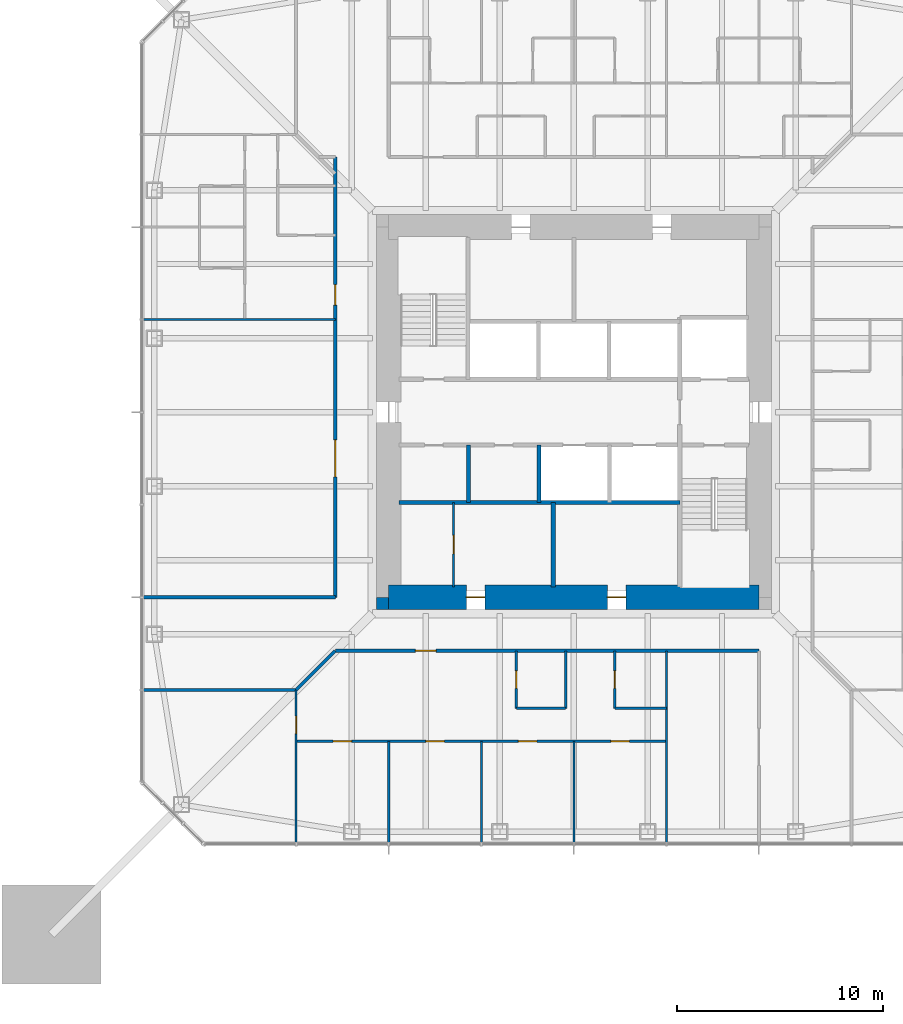
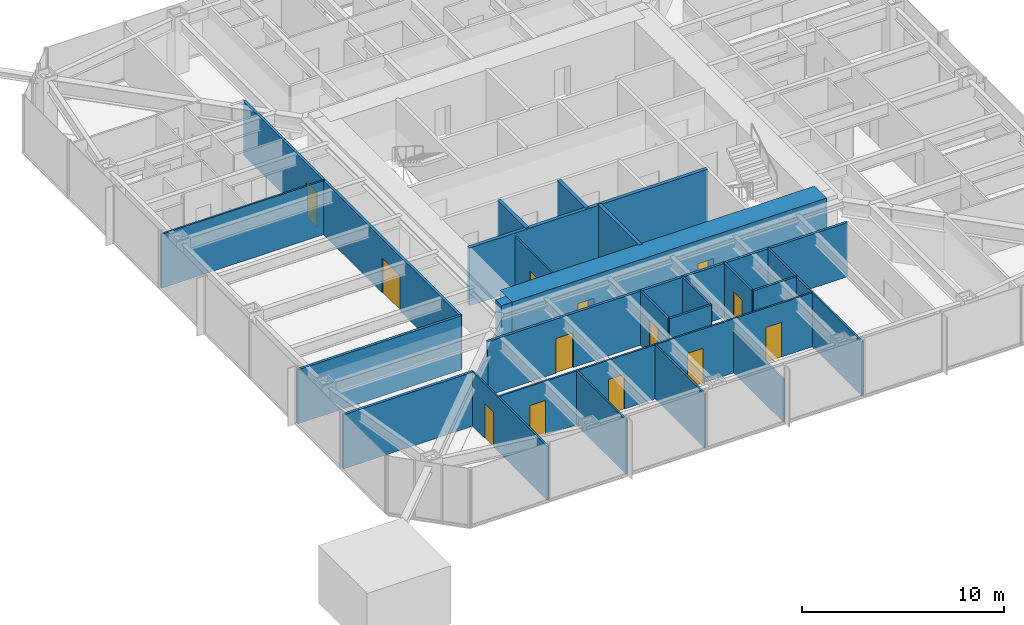
# One storey, part 13 of 25: 24 walls, 13 doors, 13 openings.
"""IFC4 building model written with IfcOpenShell, lengths in metres."""

from ifc_helpers import new_model, si_unit, direction, frame, frame_2d, origin, place, context, subcontext, project, spatial, rectangle, extrude, material, layer, layer_set, type_object, element, fill, save


model = new_model("IFC4")

# Units and contexts
model_context = context("Model", 3, precision=1e-05, world=origin(), true_north=direction((0.0, 1.0)))
body_context = subcontext(model_context, "Body", "Model", "MODEL_VIEW")
ifc_project = project(units=[si_unit("LENGTHUNIT", "METRE"), si_unit("AREAUNIT", "SQUARE_METRE"), si_unit("VOLUMEUNIT", "CUBIC_METRE"), si_unit("PLANEANGLEUNIT", "RADIAN"), si_unit("MASSUNIT", "GRAM", prefix="KILO")], contexts=[model_context])

# Site, building, storey
site_placement = place(None, origin())
site = spatial("IfcSite", under=ifc_project, at=site_placement, CompositionType="ELEMENT")
building_placement = place(site_placement, origin())
building = spatial("IfcBuilding", under=site, at=building_placement, Name="Iwan Alto Co-Living Towers", CompositionType="ELEMENT")
storey_placement = place(building_placement, frame((0.0, 0.0, 119.0)))
storey = spatial("IfcBuildingStorey", under=building, at=storey_placement, Name="L32", CompositionType="ELEMENT", Elevation=119.0)

# Wall
ifc_material_1 = material(Name="Gypsum board")
ifc_layer_1 = layer(ifc_material_1, 0.02490234375, Name="Board", Category="Finish")
ifc_material_2 = material(Name="Steel ASTM A1003 ST33H cold-formed studs", Category="steel")
ifc_layer_2 = layer(ifc_material_2, 0.10009765625, Name="Studs", Category="Framing")
ifc_layer_3 = layer(ifc_material_1, 0.02490234375, Name="Board", Category="Finish")
ifc_layer_set_1 = layer_set([ifc_layer_1, ifc_layer_2, ifc_layer_3], Name="CORRIDOR WALL 150")
wall_type_1 = type_object("IfcWallType", Name="CORRIDOR WALL 150", PredefinedType="PARTITIONING", material=ifc_layer_set_1)
wall_1_placement = place(storey_placement, frame((-20.93994140625, -13.5, 0.0), z_axis=(0.0, 0.0, 1.0), x_axis=(1.0, 0.0, 0.0)))
element("IfcWall", 1, at=wall_1_placement, inside=storey, type_object=wall_type_1, Name="Partition L32", PredefinedType="PARTITIONING", context=body_context, shape_type="SweptSolid", body=[
    extrude(rectangle(XDim=7.43994140625, YDim=0.14990234375, at=frame_2d((3.719970703125, 0.0))), origin(), (0.0, 0.0, 1.0), 3.27001953125),
])

# Wall, opening, door
wall_2_placement = place(storey_placement, frame((-11.60009765625, -11.60009765625, 0.0), z_axis=(0.0, 0.0, 1.0), x_axis=(1.0, 0.0, 0.0)))
wall_2 = element("IfcWall", 2, at=wall_2_placement, inside=storey, type_object=wall_type_1, Name="Partition L32", PredefinedType="PARTITIONING", context=body_context, shape_type="SweptSolid", body=[
    extrude(rectangle(XDim=20.60009765625, YDim=0.14990234375, at=frame_2d((10.300048828125, 0.0))), origin(), (0.0, 0.0, 1.0), 3.27001953125),
])
opening_1_placement = place(wall_2_placement, frame((3.89990234375, 0.0, 0.0)))
opening_1 = element("IfcOpeningElement", 3, at=opening_1_placement, cuts=wall_2, Name="Opening D3", PredefinedType="OPENING", context=body_context, shape_type="SweptSolid", body=[
    extrude(rectangle(XDim=1.0, YDim=2.10009765625, at=frame_2d((0.5, 1.050048828125))), frame((0.0, 0.0849609375, 0.0), z_axis=(0.0, -1.0, 0.0), x_axis=(1.0, 0.0, 0.0)), (0.0, 0.0, 1.0), 0.169921875),
])
ifc_material_3 = material(Name="Steel frame with timber leaf", Category="steel")
door_type_1 = type_object("IfcDoorType", Name="FLAT ENTRANCE DOOR FD30S 1000X2100", OperationType="SINGLE_SWING_LEFT", PredefinedType="DOOR", material=ifc_material_3)
door_1_placement = place(opening_1_placement, frame((1.0, 0.0, 0.0), z_axis=(0.0, 0.0, 1.0), x_axis=(-1.0, 0.0, 0.0)))
door_1 = element("IfcDoor", 4, at=door_1_placement, inside=storey, type_object=door_type_1, Name="Cluster lounge and shared kitchen door L32", OperationType="SINGLE_SWING_LEFT", OverallHeight=2.10009765625, OverallWidth=1.0, PredefinedType="DOOR", context=body_context, shape_type="SweptSolid", body=[
    extrude(rectangle(XDim=1.0, YDim=2.10009765625, at=frame_2d((0.5, 1.050048828125))), frame((0.0, 0.02490234375, 0.0), z_axis=(0.0, -1.0, 0.0), x_axis=(1.0, 0.0, 0.0)), (0.0, 0.0, 1.0), 0.050048828125),
])
fill(opening_1, door_1)

# Walls
wall_3_placement = place(storey_placement, frame((-20.93994140625, -9.0, 0.0), z_axis=(0.0, 0.0, 1.0), x_axis=(1.0, 0.0, 0.0)))
element("IfcWall", 5, at=wall_3_placement, inside=storey, type_object=wall_type_1, Name="Partition L32", PredefinedType="PARTITIONING", context=body_context, shape_type="SweptSolid", body=[
    extrude(rectangle(XDim=9.33984375, YDim=0.14990234375, at=frame_2d((4.669921875, 0.0))), origin(), (0.0, 0.0, 1.0), 3.27001953125),
])
wall_4_placement = place(storey_placement, frame((-13.5, -13.5, 0.0), z_axis=(0.0, 0.0, 1.0), x_axis=(0.707106781187, 0.707106781187, 0.0)))
element("IfcWall", 6, at=wall_4_placement, inside=storey, type_object=wall_type_1, Name="Partition L32", PredefinedType="PARTITIONING", context=body_context, shape_type="SweptSolid", body=[
    extrude(rectangle(XDim=2.686767578125, YDim=0.14990234375, at=frame_2d((1.34326171875, 0.0))), origin(), (0.0, 0.0, 1.0), 2.343017578125),
])

# Wall, openings, doors
wall_5_placement = place(storey_placement, frame((-11.60009765625, -9.0, 0.0), z_axis=(0.0, 0.0, 1.0), x_axis=(0.0, 1.0, 0.0)))
wall_5 = element("IfcWall", 7, at=wall_5_placement, inside=storey, type_object=wall_type_1, Name="Partition L32", PredefinedType="PARTITIONING", context=body_context, shape_type="SweptSolid", body=[
    extrude(rectangle(XDim=21.39990234375, YDim=0.14990234375, at=frame_2d((10.699951171875, 0.0))), origin(), (0.0, 0.0, 1.0), 3.27001953125),
])
opening_2_placement = place(wall_5_placement, frame((14.199951171875, 0.0, 0.0)))
opening_2 = element("IfcOpeningElement", 8, at=opening_2_placement, cuts=wall_5, Name="Opening D3", PredefinedType="OPENING", context=body_context, shape_type="SweptSolid", body=[
    extrude(rectangle(XDim=1.0, YDim=2.10009765625, at=frame_2d((0.5, 1.050048828125))), frame((0.0, 0.0849609375, 0.0), z_axis=(0.0, -1.0, 0.0), x_axis=(1.0, 0.0, 0.0)), (0.0, 0.0, 1.0), 0.169921875),
])
opening_3_placement = place(wall_5_placement, frame((5.85009765625, 0.0, 0.0)))
opening_3 = element("IfcOpeningElement", 9, at=opening_3_placement, cuts=wall_5, Name="Opening D9", PredefinedType="OPENING", context=body_context, shape_type="SweptSolid", body=[
    extrude(rectangle(XDim=1.800048828125, YDim=2.10009765625, at=frame_2d((0.89990234375, 1.050048828125))), frame((0.0, 0.0849609375, 0.0), z_axis=(0.0, -1.0, 0.0), x_axis=(1.0, 0.0, 0.0)), (0.0, 0.0, 1.0), 0.169921875),
])
door_2_placement = place(opening_2_placement, origin())
door_2 = element("IfcDoor", 10, at=door_2_placement, inside=storey, type_object=door_type_1, Name="Cluster lounge door L32", OperationType="SINGLE_SWING_LEFT", OverallHeight=2.10009765625, OverallWidth=1.0, PredefinedType="DOOR", context=body_context, shape_type="SweptSolid", body=[
    extrude(rectangle(XDim=1.0, YDim=2.10009765625, at=frame_2d((0.5, 1.050048828125))), frame((0.0, 0.02490234375, 0.0), z_axis=(0.0, -1.0, 0.0), x_axis=(1.0, 0.0, 0.0)), (0.0, 0.0, 1.0), 0.050048828125),
])
fill(opening_2, door_2)
ifc_material_4 = material(Name="Steel frame with timber leaf", Category="steel")
door_type_2 = type_object("IfcDoorType", Name="LOUNGE DOOR FD30S 1800X2100", OperationType="DOUBLE_DOOR_SINGLE_SWING", PredefinedType="DOOR", material=ifc_material_4)
door_3_placement = place(opening_3_placement, origin())
door_3 = element("IfcDoor", 11, at=door_3_placement, inside=storey, type_object=door_type_2, Name="Study commons door L32", OperationType="DOUBLE_DOOR_SINGLE_SWING", OverallHeight=2.10009765625, OverallWidth=1.800048828125, PredefinedType="DOOR", context=body_context, shape_type="SweptSolid", body=[
    extrude(rectangle(XDim=1.800048828125, YDim=2.10009765625, at=frame_2d((0.89990234375, 1.050048828125))), frame((0.0, 0.02490234375, 0.0), z_axis=(0.0, -1.0, 0.0), x_axis=(1.0, 0.0, 0.0)), (0.0, 0.0, 1.0), 0.050048828125),
])
fill(opening_3, door_3)

ifc_layer_4 = layer(ifc_material_1, 0.012451171875, Name="Board", Category="Finish")
ifc_layer_5 = layer(ifc_material_2, 0.074951171875, Name="Studs", Category="Framing")
ifc_layer_6 = layer(ifc_material_1, 0.012451171875, Name="Board", Category="Finish")
ifc_layer_set_2 = layer_set([ifc_layer_4, ifc_layer_5, ifc_layer_6], Name="PARTITION 100")
wall_type_2 = type_object("IfcWallType", Name="PARTITION 100", PredefinedType="PARTITIONING", material=ifc_layer_set_2)
wall_6_placement = place(storey_placement, frame((-13.5, -16.0, 0.0), z_axis=(0.0, 0.0, 1.0), x_axis=(1.0, 0.0, 0.0)))
wall_6 = element("IfcWall", 12, at=wall_6_placement, inside=storey, type_object=wall_type_2, Name="Partition L32", PredefinedType="PARTITIONING", context=body_context, shape_type="SweptSolid", body=[
    extrude(rectangle(XDim=18.0, YDim=0.10009765625, at=frame_2d((9.0, 0.0))), origin(), (0.0, 0.0, 1.0), 3.27001953125),
])
opening_4_placement = place(wall_6_placement, frame((1.800048828125, 0.0, 0.0)))
opening_4 = element("IfcOpeningElement", 13, at=opening_4_placement, cuts=wall_6, Name="Opening D1", PredefinedType="OPENING", context=body_context, shape_type="SweptSolid", body=[
    extrude(rectangle(XDim=0.89990234375, YDim=2.10009765625, at=frame_2d((0.449951171875, 1.050048828125))), frame((0.0, 0.06005859375, 0.0), z_axis=(0.0, -1.0, 0.0), x_axis=(1.0, 0.0, 0.0)), (0.0, 0.0, 1.0), 0.1201171875),
])
opening_5_placement = place(wall_6_placement, frame((6.300048828125, 0.0, 0.0)))
opening_5 = element("IfcOpeningElement", 14, at=opening_5_placement, cuts=wall_6, Name="Opening D1", PredefinedType="OPENING", context=body_context, shape_type="SweptSolid", body=[
    extrude(rectangle(XDim=0.89990234375, YDim=2.10009765625, at=frame_2d((0.449951171875, 1.050048828125))), frame((0.0, 0.06005859375, 0.0), z_axis=(0.0, -1.0, 0.0), x_axis=(1.0, 0.0, 0.0)), (0.0, 0.0, 1.0), 0.1201171875),
])
opening_6_placement = place(wall_6_placement, frame((10.800048828125, 0.0, 0.0)))
opening_6 = element("IfcOpeningElement", 15, at=opening_6_placement, cuts=wall_6, Name="Opening D1", PredefinedType="OPENING", context=body_context, shape_type="SweptSolid", body=[
    extrude(rectangle(XDim=0.89990234375, YDim=2.10009765625, at=frame_2d((0.449951171875, 1.050048828125))), frame((0.0, 0.06005859375, 0.0), z_axis=(0.0, -1.0, 0.0), x_axis=(1.0, 0.0, 0.0)), (0.0, 0.0, 1.0), 0.1201171875),
])
opening_7_placement = place(wall_6_placement, frame((15.300048828125, 0.0, 0.0)))
opening_7 = element("IfcOpeningElement", 16, at=opening_7_placement, cuts=wall_6, Name="Opening D1", PredefinedType="OPENING", context=body_context, shape_type="SweptSolid", body=[
    extrude(rectangle(XDim=0.89990234375, YDim=2.10009765625, at=frame_2d((0.449951171875, 1.050048828125))), frame((0.0, 0.06005859375, 0.0), z_axis=(0.0, -1.0, 0.0), x_axis=(1.0, 0.0, 0.0)), (0.0, 0.0, 1.0), 0.1201171875),
])
ifc_material_5 = material(Name="Timber leaf in steel frame", Category="steel")
door_type_3 = type_object("IfcDoorType", Name="BEDROOM DOOR 900X2100", OperationType="SINGLE_SWING_LEFT", PredefinedType="DOOR", material=ifc_material_5)
door_4_placement = place(opening_4_placement, origin())
door_4 = element("IfcDoor", 17, at=door_4_placement, inside=storey, type_object=door_type_3, Name="Study bedroom door L32", OperationType="SINGLE_SWING_LEFT", OverallHeight=2.10009765625, OverallWidth=0.89990234375, PredefinedType="DOOR", context=body_context, shape_type="SweptSolid", body=[
    extrude(rectangle(XDim=0.89990234375, YDim=2.10009765625, at=frame_2d((0.449951171875, 1.050048828125))), frame((0.0, 0.02490234375, 0.0), z_axis=(0.0, -1.0, 0.0), x_axis=(1.0, 0.0, 0.0)), (0.0, 0.0, 1.0), 0.050048828125),
])
fill(opening_4, door_4)
door_5_placement = place(opening_5_placement, origin())
door_5 = element("IfcDoor", 18, at=door_5_placement, inside=storey, type_object=door_type_3, Name="Study bedroom door L32", OperationType="SINGLE_SWING_LEFT", OverallHeight=2.10009765625, OverallWidth=0.89990234375, PredefinedType="DOOR", context=body_context, shape_type="SweptSolid", body=[
    extrude(rectangle(XDim=0.89990234375, YDim=2.10009765625, at=frame_2d((0.449951171875, 1.050048828125))), frame((0.0, 0.02490234375, 0.0), z_axis=(0.0, -1.0, 0.0), x_axis=(1.0, 0.0, 0.0)), (0.0, 0.0, 1.0), 0.050048828125),
])
fill(opening_5, door_5)
door_6_placement = place(opening_6_placement, origin())
door_6 = element("IfcDoor", 19, at=door_6_placement, inside=storey, type_object=door_type_3, Name="Study bedroom door L32", OperationType="SINGLE_SWING_RIGHT", OverallHeight=2.10009765625, OverallWidth=0.89990234375, PredefinedType="DOOR", context=body_context, shape_type="SweptSolid", body=[
    extrude(rectangle(XDim=0.89990234375, YDim=2.10009765625, at=frame_2d((0.449951171875, 1.050048828125))), frame((0.0, 0.02490234375, 0.0), z_axis=(0.0, -1.0, 0.0), x_axis=(1.0, 0.0, 0.0)), (0.0, 0.0, 1.0), 0.050048828125),
])
fill(opening_6, door_6)
door_7_placement = place(opening_7_placement, origin())
door_7 = element("IfcDoor", 20, at=door_7_placement, inside=storey, type_object=door_type_3, Name="Study bedroom door L32", OperationType="SINGLE_SWING_RIGHT", OverallHeight=2.10009765625, OverallWidth=0.89990234375, PredefinedType="DOOR", context=body_context, shape_type="SweptSolid", body=[
    extrude(rectangle(XDim=0.89990234375, YDim=2.10009765625, at=frame_2d((0.449951171875, 1.050048828125))), frame((0.0, 0.02490234375, 0.0), z_axis=(0.0, -1.0, 0.0), x_axis=(1.0, 0.0, 0.0)), (0.0, 0.0, 1.0), 0.050048828125),
])
fill(opening_7, door_7)

# Walls
for number, where, z_axis, x_axis, name in (
    (21, (-20.93994140625, 4.5, 0.0), (0.0, 0.0, 1.0), (1.0, 0.0, 0.0), "Partition L32"),
    (22, (4.5, -20.93994140625, 0.0), (0.0, 0.0, 1.0), (0.0, 1.0, 0.0), "Partition L32"),
):
    element("IfcWall", number, at=place(storey_placement, frame(where, z_axis=z_axis, x_axis=x_axis)), inside=storey, type_object=wall_type_2, Name=name, PredefinedType="PARTITIONING", context=body_context, shape_type="SweptSolid", body=[
        extrude(rectangle(XDim=9.33984375, YDim=0.10009765625, at=frame_2d((4.669921875, 0.0))), origin(), (0.0, 0.0, 1.0), 3.27001953125),
    ])
wall_7_placement = place(storey_placement, frame((0.0, -20.93994140625, 0.0), z_axis=(0.0, 0.0, 1.0), x_axis=(0.0, 1.0, 0.0)))
element("IfcWall", 23, at=wall_7_placement, inside=storey, type_object=wall_type_2, Name="Partition L32", PredefinedType="PARTITIONING", context=body_context, shape_type="SweptSolid", body=[
    extrude(rectangle(XDim=4.93994140625, YDim=0.10009765625, at=frame_2d((2.469970703125, 0.0))), origin(), (0.0, 0.0, 1.0), 2.586669921875),
])
wall_8_placement = place(storey_placement, frame((-4.5, -20.93994140625, 0.0), z_axis=(0.0, 0.0, 1.0), x_axis=(0.0, 1.0, 0.0)))
element("IfcWall", 24, at=wall_8_placement, inside=storey, type_object=wall_type_2, Name="Partition L32", PredefinedType="PARTITIONING", context=body_context, shape_type="SweptSolid", body=[
    extrude(rectangle(XDim=4.93994140625, YDim=0.10009765625, at=frame_2d((2.469970703125, 0.0))), origin(), (0.0, 0.0, 1.0), 3.27001953125),
])

# Wall, opening, door
wall_9_placement = place(storey_placement, frame((-5.85009765625, -8.489990234375, 0.0), z_axis=(0.0, 0.0, 1.0), x_axis=(0.0, 1.0, 0.0)))
wall_9 = element("IfcWall", 25, at=wall_9_placement, inside=storey, type_object=wall_type_2, Name="Partition L32", PredefinedType="PARTITIONING", context=body_context, shape_type="SweptSolid", body=[
    extrude(rectangle(XDim=4.090087890625, YDim=0.10009765625, at=frame_2d((2.044921875, 0.0))), origin(), (0.0, 0.0, 1.0), 3.300048828125),
])
opening_8_placement = place(wall_9_placement, frame((1.594970703125, 0.0, 0.0)))
opening_8 = element("IfcOpeningElement", 26, at=opening_8_placement, cuts=wall_9, Name="Opening D16", PredefinedType="OPENING", context=body_context, shape_type="SweptSolid", body=[
    extrude(rectangle(XDim=0.89990234375, YDim=2.10009765625, at=frame_2d((0.449951171875, 1.050048828125))), frame((0.0, 0.06005859375, 0.0), z_axis=(0.0, -1.0, 0.0), x_axis=(1.0, 0.0, 0.0)), (0.0, 0.0, 1.0), 0.1201171875),
])
ifc_material_6 = material(Name="Timber leaf in steel frame", Category="steel")
door_type_4 = type_object("IfcDoorType", Name="CUPBOARD SLIDING DOOR 900X2100", OperationType="SLIDING_TO_LEFT", PredefinedType="DOOR", material=ifc_material_6)
door_8_placement = place(opening_8_placement, origin())
door_8 = element("IfcDoor", 27, at=door_8_placement, inside=storey, type_object=door_type_4, Name="Cleaner's store door L32", OperationType="SLIDING_TO_LEFT", OverallHeight=2.10009765625, OverallWidth=0.89990234375, PredefinedType="DOOR", context=body_context, shape_type="SweptSolid", body=[
    extrude(rectangle(XDim=0.89990234375, YDim=2.10009765625, at=frame_2d((0.449951171875, 1.050048828125))), frame((0.0, 0.02490234375, 0.0), z_axis=(0.0, -1.0, 0.0), x_axis=(1.0, 0.0, 0.0)), (0.0, 0.0, 1.0), 0.050048828125),
])
fill(opening_8, door_8)

# Wall
wall_10_placement = place(storey_placement, frame((-9.0, -20.93994140625, 0.0), z_axis=(0.0, 0.0, 1.0), x_axis=(0.0, 1.0, 0.0)))
element("IfcWall", 28, at=wall_10_placement, inside=storey, type_object=wall_type_2, Name="Partition L32", PredefinedType="PARTITIONING", context=body_context, shape_type="SweptSolid", body=[
    extrude(rectangle(XDim=4.93994140625, YDim=0.10009765625, at=frame_2d((2.469970703125, 0.0))), origin(), (0.0, 0.0, 1.0), 3.27001953125),
])

# Wall, opening, door
wall_11_placement = place(storey_placement, frame((-13.5, -20.93994140625, 0.0), z_axis=(0.0, 0.0, 1.0), x_axis=(0.0, 1.0, 0.0)))
wall_11 = element("IfcWall", 29, at=wall_11_placement, inside=storey, type_object=wall_type_2, Name="Partition L32", PredefinedType="PARTITIONING", context=body_context, shape_type="SweptSolid", body=[
    extrude(rectangle(XDim=7.43994140625, YDim=0.10009765625, at=frame_2d((3.719970703125, 0.0))), origin(), (0.0, 0.0, 1.0), 3.27001953125),
])
opening_9_placement = place(wall_11_placement, frame((5.31494140625, 0.0, 0.0)))
opening_9 = element("IfcOpeningElement", 30, at=opening_9_placement, cuts=wall_11, Name="Opening D2", PredefinedType="OPENING", context=body_context, shape_type="SweptSolid", body=[
    extrude(rectangle(XDim=0.85009765625, YDim=2.10009765625, at=frame_2d((0.425048828125, 1.050048828125))), frame((0.0, 0.06005859375, 0.0), z_axis=(0.0, -1.0, 0.0), x_axis=(1.0, 0.0, 0.0)), (0.0, 0.0, 1.0), 0.1201171875),
])
ifc_material_7 = material(Name="Timber leaf in steel frame", Category="steel")
door_type_5 = type_object("IfcDoorType", Name="ROOM DOOR 850X2100", OperationType="SINGLE_SWING_LEFT", PredefinedType="DOOR", material=ifc_material_7)
door_9_placement = place(opening_9_placement, frame((0.85009765625, 0.0, 0.0), z_axis=(0.0, 0.0, 1.0), x_axis=(-1.0, 0.0, 0.0)))
door_9 = element("IfcDoor", 31, at=door_9_placement, inside=storey, type_object=door_type_5, Name="Study lounge door L32", OperationType="SINGLE_SWING_RIGHT", OverallHeight=2.10009765625, OverallWidth=0.85009765625, PredefinedType="DOOR", context=body_context, shape_type="SweptSolid", body=[
    extrude(rectangle(XDim=0.85009765625, YDim=2.10009765625, at=frame_2d((0.425048828125, 1.050048828125))), frame((0.0, 0.02490234375, 0.0), z_axis=(0.0, -1.0, 0.0), x_axis=(1.0, 0.0, 0.0)), (0.0, 0.0, 1.0), 0.050048828125),
])
fill(opening_9, door_9)

# Walls
ifc_material_8 = material(Name="Concrete f'c 70 MPa", Category="concrete")
ifc_layer_7 = layer(ifc_material_8, 0.199951171875)
ifc_layer_set_3 = layer_set([ifc_layer_7], Name="SHAFT WALL 200")
wall_type_3 = type_object("IfcWallType", Name="SHAFT WALL 200", PredefinedType="SOLIDWALL", material=ifc_layer_set_3)
wall_12_placement = place(storey_placement, frame((-8.489990234375, -4.39990234375, 0.0), z_axis=(0.0, 0.0, 1.0), x_axis=(1.0, 0.0, 0.0)))
element("IfcWall", 32, at=wall_12_placement, inside=storey, type_object=wall_type_3, Name="Shaft wall L32", PredefinedType="SOLIDWALL", context=body_context, shape_type="SweptSolid", body=[
    extrude(rectangle(XDim=13.639892578125, YDim=0.199951171875, at=frame_2d((6.81982421875, 0.0))), origin(), (0.0, 0.0, 1.0), 3.5),
])
wall_13_placement = place(storey_placement, frame((-1.0, -8.489990234375, 0.0), z_axis=(0.0, 0.0, 1.0), x_axis=(0.0, 1.0, 0.0)))
element("IfcWall", 33, at=wall_13_placement, inside=storey, type_object=wall_type_3, Name="Shaft wall L32", PredefinedType="SOLIDWALL", context=body_context, shape_type="SweptSolid", body=[
    extrude(rectangle(XDim=4.090087890625, YDim=0.199951171875, at=frame_2d((2.044921875, 0.0))), origin(), (0.0, 0.0, 1.0), 3.5),
])
for number, where, z_axis, x_axis, name in (
    (34, (-1.699951171875, -4.39990234375, 0.0), (0.0, 0.0, 1.0), (0.0, 1.0, 0.0), "Shaft wall L32"),
    (35, (-5.125, -4.39990234375, 0.0), (0.0, 0.0, 1.0), (0.0, 1.0, 0.0), "Shaft wall L32"),
):
    element("IfcWall", number, at=place(storey_placement, frame(where, z_axis=z_axis, x_axis=x_axis)), inside=storey, type_object=wall_type_3, Name=name, PredefinedType="SOLIDWALL", context=body_context, shape_type="SweptSolid", body=[
        extrude(rectangle(XDim=2.7998046875, YDim=0.199951171875, at=frame_2d((1.39990234375, 0.0))), origin(), (0.0, 0.0, 1.0), 3.5),
    ])
ifc_material_9 = material(Name="Concrete f'c 70 MPa", Category="concrete")
ifc_layer_8 = layer(ifc_material_9, 0.60009765625)
ifc_layer_set_4 = layer_set([ifc_layer_8], Name="T1 CORE CORNER FILL 600")
wall_type_4 = type_object("IfcWallType", Name="T1 CORE CORNER FILL 600", PredefinedType="SOLIDWALL", material=ifc_layer_set_4)
wall_14_placement = place(storey_placement, frame((-9.60009765625, -9.300048828125, 0.0), z_axis=(0.0, 0.0, 1.0), x_axis=(1.0, 0.0, 0.0)))
element("IfcWall", 36, at=wall_14_placement, inside=storey, type_object=wall_type_4, Name="T1 core corner SW L32", PredefinedType="SOLIDWALL", context=body_context, shape_type="SweptSolid", body=[
    extrude(rectangle(XDim=0.60009765625, YDim=0.60009765625, at=frame_2d((0.300048828125, 0.0))), origin(), (0.0, 0.0, 1.0), 3.5),
])

# Wall, openings, doors
ifc_material_10 = material(Name="Concrete f'c 70 MPa", Category="concrete")
ifc_layer_9 = layer(ifc_material_10, 1.199951171875)
ifc_layer_set_5 = layer_set([ifc_layer_9], Name="T1 CORE WALL 1200")
wall_type_5 = type_object("IfcWallType", Name="T1 CORE WALL 1200", PredefinedType="SHEAR", material=ifc_layer_set_5)
wall_15_placement = place(storey_placement, frame((-9.0, -9.0, 0.0), z_axis=(0.0, 0.0, 1.0), x_axis=(1.0, 0.0, 0.0)))
wall_15 = element("IfcWall", 37, at=wall_15_placement, inside=storey, type_object=wall_type_5, Name="T1 core wall S L32", PredefinedType="SHEAR", context=body_context, shape_type="SweptSolid", body=[
    extrude(rectangle(XDim=18.0, YDim=1.199951171875, at=frame_2d((9.0, 0.0))), origin(), (0.0, 0.0, 1.0), 3.5),
])
opening_10_placement = place(wall_15_placement, frame((3.77490234375, 0.0, 0.0)))
opening_10 = element("IfcOpeningElement", 38, at=opening_10_placement, cuts=wall_15, Name="Opening D8", PredefinedType="OPENING", context=body_context, shape_type="SweptSolid", body=[
    extrude(rectangle(XDim=0.89990234375, YDim=2.10009765625, at=frame_2d((0.449951171875, 1.050048828125))), frame((0.0, 0.60986328125, 0.0), z_axis=(0.0, -1.0, 0.0), x_axis=(1.0, 0.0, 0.0)), (0.0, 0.0, 1.0), 1.219970703125),
])
opening_11_placement = place(wall_15_placement, frame((10.625, 0.0, 0.0)))
opening_11 = element("IfcOpeningElement", 39, at=opening_11_placement, cuts=wall_15, Name="Opening D8", PredefinedType="OPENING", context=body_context, shape_type="SweptSolid", body=[
    extrude(rectangle(XDim=0.89990234375, YDim=2.10009765625, at=frame_2d((0.449951171875, 1.050048828125))), frame((0.0, 0.60986328125, 0.0), z_axis=(0.0, -1.0, 0.0), x_axis=(1.0, 0.0, 0.0)), (0.0, 0.0, 1.0), 1.219970703125),
])
ifc_material_11 = material(Name="Steel frame with timber leaf", Category="steel")
door_type_6 = type_object("IfcDoorType", Name="RISER DOOR FD120 900X2100", OperationType="SINGLE_SWING_LEFT", PredefinedType="DOOR", material=ifc_material_11)
door_10_placement = place(opening_10_placement, origin())
door_10 = element("IfcDoor", 40, at=door_10_placement, inside=storey, type_object=door_type_6, Name="Refuse room core door L32", OperationType="SINGLE_SWING_LEFT", OverallHeight=2.10009765625, OverallWidth=0.89990234375, PredefinedType="DOOR", context=body_context, shape_type="SweptSolid", body=[
    extrude(rectangle(XDim=0.89990234375, YDim=2.10009765625, at=frame_2d((0.449951171875, 1.050048828125))), frame((0.0, 0.02490234375, 0.0), z_axis=(0.0, -1.0, 0.0), x_axis=(1.0, 0.0, 0.0)), (0.0, 0.0, 1.0), 0.050048828125),
])
fill(opening_10, door_10)
door_11_placement = place(opening_11_placement, origin())
door_11 = element("IfcDoor", 41, at=door_11_placement, inside=storey, type_object=door_type_6, Name="Telecom riser core door L32", OperationType="SINGLE_SWING_LEFT", OverallHeight=2.10009765625, OverallWidth=0.89990234375, PredefinedType="DOOR", context=body_context, shape_type="SweptSolid", body=[
    extrude(rectangle(XDim=0.89990234375, YDim=2.10009765625, at=frame_2d((0.449951171875, 1.050048828125))), frame((0.0, 0.02490234375, 0.0), z_axis=(0.0, -1.0, 0.0), x_axis=(1.0, 0.0, 0.0)), (0.0, 0.0, 1.0), 0.050048828125),
])
fill(opening_11, door_11)

# Walls
ifc_material_12 = material(Name="Cement board")
ifc_layer_10 = layer(ifc_material_12, 0.012451171875, Name="Board", Category="Finish")
ifc_layer_11 = layer(ifc_material_2, 0.094970703125, Name="Studs", Category="Framing")
ifc_layer_12 = layer(ifc_material_12, 0.012451171875, Name="Board", Category="Finish")
ifc_layer_set_6 = layer_set([ifc_layer_10, ifc_layer_11, ifc_layer_12], Name="WET AREA PARTITION 120")
wall_type_6 = type_object("IfcWallType", Name="WET AREA PARTITION 120", PredefinedType="PARTITIONING", material=ifc_layer_set_6)
wall_16_placement = place(storey_placement, frame((-2.800048828125, -14.39990234375, 0.0), z_axis=(0.0, 0.0, 1.0), x_axis=(1.0, 0.0, 0.0)))
element("IfcWall", 42, at=wall_16_placement, inside=storey, type_object=wall_type_6, Name="Partition L32", PredefinedType="PARTITIONING", context=body_context, shape_type="SweptSolid", body=[
    extrude(rectangle(XDim=2.400146484375, YDim=0.1201171875, at=frame_2d((1.2001953125, 0.0))), origin(), (0.0, 0.0, 1.0), 3.27001953125),
])
wall_17_placement = place(storey_placement, frame((2.0, -14.39990234375, 0.0), z_axis=(0.0, 0.0, 1.0), x_axis=(1.0, 0.0, 0.0)))
element("IfcWall", 43, at=wall_17_placement, inside=storey, type_object=wall_type_6, Name="Partition L32", PredefinedType="PARTITIONING", context=body_context, shape_type="SweptSolid", body=[
    extrude(rectangle(XDim=2.5, YDim=0.1201171875, at=frame_2d((1.25, 0.0))), origin(), (0.0, 0.0, 1.0), 3.27001953125),
])

# Wall, opening, door
wall_18_placement = place(storey_placement, frame((2.0, -14.39990234375, 0.0), z_axis=(0.0, 0.0, 1.0), x_axis=(0.0, 1.0, 0.0)))
wall_18 = element("IfcWall", 44, at=wall_18_placement, inside=storey, type_object=wall_type_6, Name="Partition L32", PredefinedType="PARTITIONING", context=body_context, shape_type="SweptSolid", body=[
    extrude(rectangle(XDim=2.7998046875, YDim=0.1201171875, at=frame_2d((1.39990234375, 0.0))), origin(), (0.0, 0.0, 1.0), 3.27001953125),
])
opening_12_placement = place(wall_18_placement, frame((0.97509765625, 0.0, 0.0)))
opening_12 = element("IfcOpeningElement", 45, at=opening_12_placement, cuts=wall_18, Name="Opening D2", PredefinedType="OPENING", context=body_context, shape_type="SweptSolid", body=[
    extrude(rectangle(XDim=0.85009765625, YDim=2.10009765625, at=frame_2d((0.425048828125, 1.050048828125))), frame((0.0, 0.070068359375, 0.0), z_axis=(0.0, -1.0, 0.0), x_axis=(1.0, 0.0, 0.0)), (0.0, 0.0, 1.0), 0.14013671875),
])
door_12_placement = place(opening_12_placement, origin())
door_12 = element("IfcDoor", 46, at=door_12_placement, inside=storey, type_object=door_type_5, Name="Laundry door L32", OperationType="SINGLE_SWING_RIGHT", OverallHeight=2.10009765625, OverallWidth=0.85009765625, PredefinedType="DOOR", context=body_context, shape_type="SweptSolid", body=[
    extrude(rectangle(XDim=0.85009765625, YDim=2.10009765625, at=frame_2d((0.425048828125, 1.050048828125))), frame((0.0, 0.02490234375, 0.0), z_axis=(0.0, -1.0, 0.0), x_axis=(1.0, 0.0, 0.0)), (0.0, 0.0, 1.0), 0.050048828125),
])
fill(opening_12, door_12)

# Wall
wall_19_placement = place(storey_placement, frame((-0.39990234375, -14.39990234375, 0.0), z_axis=(0.0, 0.0, 1.0), x_axis=(0.0, 1.0, 0.0)))
element("IfcWall", 47, at=wall_19_placement, inside=storey, type_object=wall_type_6, Name="Partition L32", PredefinedType="PARTITIONING", context=body_context, shape_type="SweptSolid", body=[
    extrude(rectangle(XDim=2.7998046875, YDim=0.1201171875, at=frame_2d((1.39990234375, 0.0))), origin(), (0.0, 0.0, 1.0), 3.27001953125),
])

# Wall, opening, door
wall_20_placement = place(storey_placement, frame((-2.800048828125, -14.39990234375, 0.0), z_axis=(0.0, 0.0, 1.0), x_axis=(0.0, 1.0, 0.0)))
wall_20 = element("IfcWall", 48, at=wall_20_placement, inside=storey, type_object=wall_type_6, Name="Partition L32", PredefinedType="PARTITIONING", context=body_context, shape_type="SweptSolid", body=[
    extrude(rectangle(XDim=2.7998046875, YDim=0.1201171875, at=frame_2d((1.39990234375, 0.0))), origin(), (0.0, 0.0, 1.0), 3.27001953125),
])
opening_13_placement = place(wall_20_placement, frame((0.97509765625, 0.0, 0.0)))
opening_13 = element("IfcOpeningElement", 49, at=opening_13_placement, cuts=wall_20, Name="Opening D2", PredefinedType="OPENING", context=body_context, shape_type="SweptSolid", body=[
    extrude(rectangle(XDim=0.85009765625, YDim=2.10009765625, at=frame_2d((0.425048828125, 1.050048828125))), frame((0.0, 0.070068359375, 0.0), z_axis=(0.0, -1.0, 0.0), x_axis=(1.0, 0.0, 0.0)), (0.0, 0.0, 1.0), 0.14013671875),
])
door_13_placement = place(opening_13_placement, origin())
door_13 = element("IfcDoor", 50, at=door_13_placement, inside=storey, type_object=door_type_5, Name="Accessible bathroom door L32", OperationType="SINGLE_SWING_RIGHT", OverallHeight=2.10009765625, OverallWidth=0.85009765625, PredefinedType="DOOR", context=body_context, shape_type="SweptSolid", body=[
    extrude(rectangle(XDim=0.85009765625, YDim=2.10009765625, at=frame_2d((0.425048828125, 1.050048828125))), frame((0.0, 0.02490234375, 0.0), z_axis=(0.0, -1.0, 0.0), x_axis=(1.0, 0.0, 0.0)), (0.0, 0.0, 1.0), 0.050048828125),
])
fill(opening_13, door_13)

save(model, "model.ifc")
